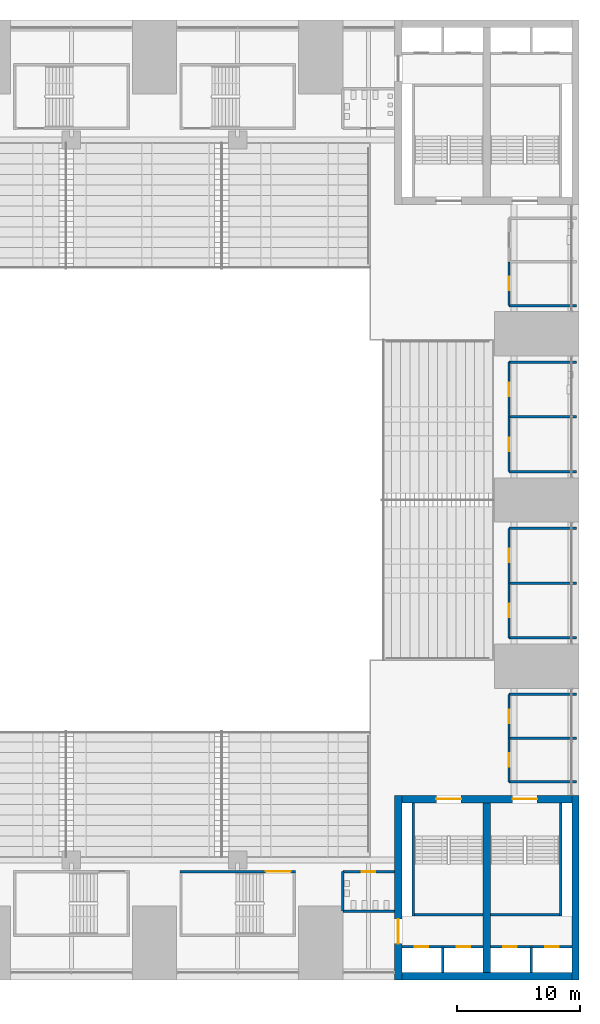
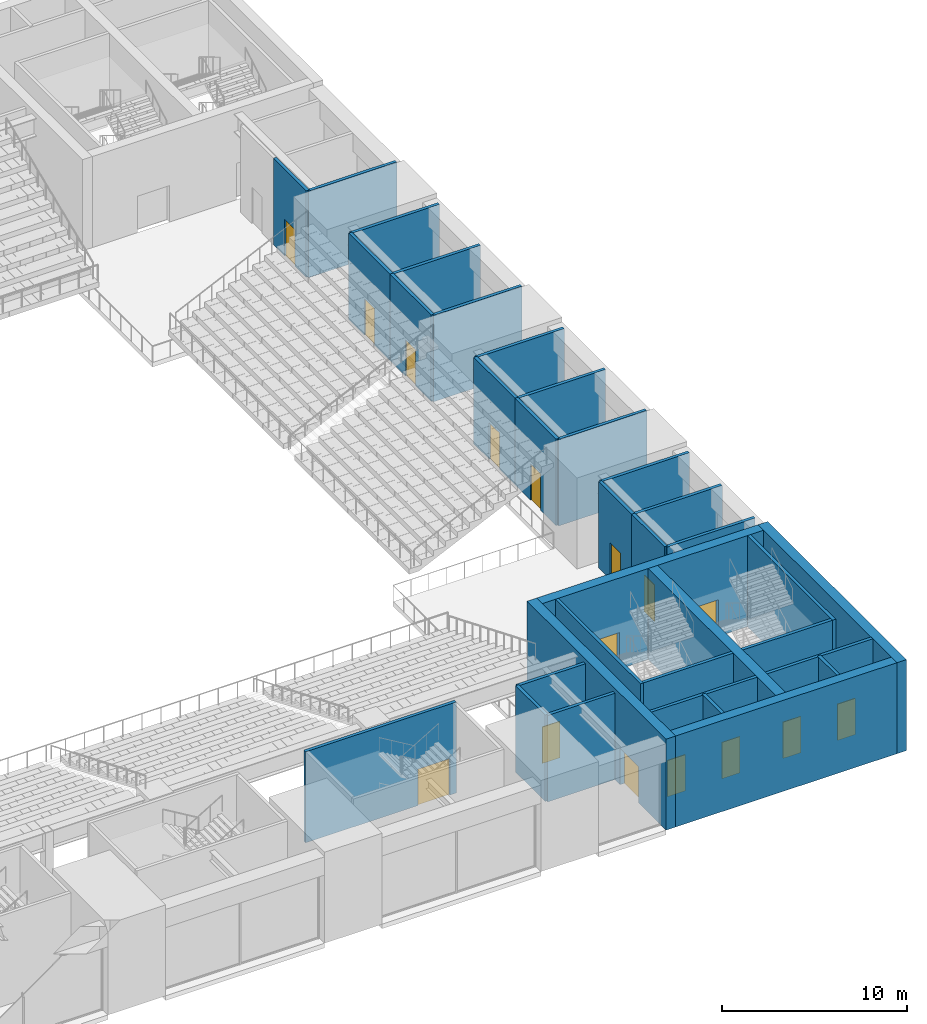
# One storey, part 31 of 61: 34 walls, 16 doors, 16 openings.
"""IFC4 building model written with IfcOpenShell, lengths in metres."""

import ifcopenshell
import ifcopenshell.guid

model = None  # the IFC model being written
_history = None  # IfcOwnerHistory: only IFC2X3 demands one
_inside = {}  # id of a spatial element -> (the spatial element, [elements in it])
_under = {}  # id of a project, library or spatial element -> (it, [spatial elements below it])
_declared = {}  # id of a project -> (the project, [libraries it declares])
_typed = {}  # id of a type object -> (the type object, [elements of that type])
_made_of = {}  # id of a material, layer set ... -> (it, [elements and type objects made of it])


def new_model(schema):
    """Start an empty IFC model of exactly this schema.

    Asked for "IFC4X3", IfcOpenShell would pick the latest addendum, in which some entities
    have other attributes; the version numbers below select the first issue.
    IFC2X3 requires an IfcOwnerHistory on every rooted entity: one is made here for all.
    """
    global model, _history
    if schema == "IFC4X3":
        model = ifcopenshell.file(schema_version=(4, 3, 0, 0))
    else:
        model = ifcopenshell.file(schema=schema)
    _inside.clear()
    _under.clear()
    _declared.clear()
    _typed.clear()
    _made_of.clear()
    _history = None
    if model.schema == "IFC2X3":
        org = make("IfcOrganization", Name="unknown")
        user = make(
            "IfcPersonAndOrganization",
            ThePerson=make("IfcPerson", FamilyName="unknown"),
            TheOrganization=org,
        )
        app = make(
            "IfcApplication",
            ApplicationDeveloper=org,
            Version="unknown",
            ApplicationFullName="unknown",
            ApplicationIdentifier="unknown",
        )
        _history = make(
            "IfcOwnerHistory",
            OwningUser=user,
            OwningApplication=app,
            ChangeAction="ADDED",
            CreationDate=0,
        )
    return model


def make(cls, **values):
    """One entity of the class cls with the attributes given. An attribute that is None is left unset."""
    return model.create_entity(
        cls, **{name: value for name, value in values.items() if value is not None}
    )


def rooted(cls, **values):
    """An entity with a GlobalId (a new one), such as an element, a storey or a relation."""
    return make(cls, GlobalId=ifcopenshell.guid.new(), OwnerHistory=_history, **values)


def si_unit(unit_type, name, prefix=None):
    """IfcSIUnit, for example si_unit("LENGTHUNIT", "METRE", prefix="MILLI")."""
    return make("IfcSIUnit", UnitType=unit_type, Prefix=prefix, Name=name)


def assignment(units):
    """IfcUnitAssignment: the units of a project."""
    return None if units is None else make("IfcUnitAssignment", Units=units)


def point(xyz):
    """IfcCartesianPoint."""
    return None if xyz is None else make("IfcCartesianPoint", Coordinates=xyz)


def direction(xyz):
    """IfcDirection."""
    return None if xyz is None else make("IfcDirection", DirectionRatios=xyz)


def frame(location, z_axis=None, x_axis=None):
    """IfcAxis2Placement3D, a coordinate frame: its origin and axes. An axis left out is left unset."""
    return make(
        "IfcAxis2Placement3D",
        Location=point(location),
        Axis=direction(z_axis),
        RefDirection=direction(x_axis),
    )


def frame_2d(location, x_axis=None):
    """IfcAxis2Placement2D, a coordinate frame in the plane: its origin and x axis."""
    return make(
        "IfcAxis2Placement2D", Location=point(location), RefDirection=direction(x_axis)
    )


def origin():
    """The frame at (0, 0, 0) with its axes left unset."""
    return frame((0.0, 0.0, 0.0))


def place(relative_to, where):
    """IfcLocalPlacement: puts the frame where relative to a parent placement (None: the world)."""
    return make(
        "IfcLocalPlacement", PlacementRelTo=relative_to, RelativePlacement=where
    )


def context(
    kind, dimensions, precision=None, world=None, true_north=None, identifier=None
):
    """IfcGeometricRepresentationContext, for example the 3D "Model" context."""
    return make(
        "IfcGeometricRepresentationContext",
        ContextIdentifier=identifier,
        ContextType=kind,
        CoordinateSpaceDimension=dimensions,
        Precision=precision,
        WorldCoordinateSystem=world,
        TrueNorth=true_north,
    )


def subcontext(parent, identifier, kind, view, scale=None):
    """IfcGeometricRepresentationSubContext, for example "Body" below "Model"."""
    return make(
        "IfcGeometricRepresentationSubContext",
        ContextIdentifier=identifier,
        ContextType=kind,
        ParentContext=parent,
        TargetScale=scale,
        TargetView=view,
    )


def project(units=None, contexts=None):
    """IfcProject with its units and contexts."""
    return rooted(
        "IfcProject",
        Name="project",
        RepresentationContexts=contexts,
        UnitsInContext=assignment(units),
    )


def spatial(cls, under=None, at=None, **own):
    """A site, building, storey or space (cls), placed at a placement, below another one or the project."""
    s = rooted(cls, ObjectPlacement=at, **own)
    if under is not None:
        _under.setdefault(under.id(), (under, []))[1].append(s)
    return s


def profile(cls, at=None, kind="AREA", **sizes):
    """A parametric profile (cls). Its sizes go by their IFC names, for example OverallWidth=200.0."""
    return make(cls, ProfileType=kind, Position=at, **sizes)


def rectangle(**sizes):
    """IfcRectangleProfileDef."""
    return profile("IfcRectangleProfileDef", **sizes)


def extrude(swept, where, along, depth):
    """IfcExtrudedAreaSolid: the profile swept, set in the frame where, extruded along a direction by depth."""
    return make(
        "IfcExtrudedAreaSolid",
        SweptArea=swept,
        Position=where,
        ExtrudedDirection=direction(along),
        Depth=depth,
    )


def shape(context_of_items, identifier, shape_type, items):
    """IfcShapeRepresentation: the items that make up one representation, for example the "Body"."""
    return make(
        "IfcShapeRepresentation",
        ContextOfItems=context_of_items,
        RepresentationIdentifier=identifier,
        RepresentationType=shape_type,
        Items=items,
    )


def material(Name=None, Category=None):
    """IfcMaterial."""
    return make("IfcMaterial", Name=Name, Category=Category)


def layer(
    of_material, thickness, ventilated=None, Name=None, Category=None, Priority=None
):
    """IfcMaterialLayer: one layer of a wall or slab, of a material (None: an air gap)."""
    return make(
        "IfcMaterialLayer",
        Material=of_material,
        LayerThickness=thickness,
        IsVentilated=ventilated,
        Name=Name,
        Category=Category,
        Priority=Priority,
    )


def layer_set(layers, Name=None):
    """IfcMaterialLayerSet."""
    return make("IfcMaterialLayerSet", MaterialLayers=layers, LayerSetName=Name)


def made_of(thing, what):
    """Note that an element or type object is made of a material, layer set ...; save() writes the relation."""
    if what is not None:
        _made_of.setdefault(what.id(), (what, []))[1].append(thing)
    return thing


def type_object(cls, material=None, **own):
    """A type object (cls), such as IfcWallType, which elements share."""
    return made_of(rooted(cls, **own), material)


def element(
    cls,
    number,
    at=None,
    inside=None,
    cuts=None,
    type_object=None,
    material=None,
    context=None,
    identifier="Body",
    shape_type=None,
    held_by="IfcProductDefinitionShape",
    body=None,
    shapes=None,
    **own,
):
    """One element of the class cls, such as IfcWall. Its Tag is "e" and its number.

    at: its placement. inside: the storey or other place that contains it. cuts: it is an
    opening in that element (IfcRelVoidsElement). A single representation is given by context,
    identifier, shape_type and body (its items); several are given by shapes. held_by: the class
    of the entity that holds the representations. save() writes the other relations.
    """
    e = rooted(cls, Tag="e%d" % number, ObjectPlacement=at, **own)
    if body is not None:
        shapes = [shape(context, identifier, shape_type, body)]
    if shapes is not None:
        e.Representation = make(held_by, Representations=shapes)
    if inside is not None:
        _inside.setdefault(inside.id(), (inside, []))[1].append(e)
    if cuts is not None:
        rooted(
            "IfcRelVoidsElement", RelatingBuildingElement=cuts, RelatedOpeningElement=e
        )
    if type_object is not None:
        _typed.setdefault(type_object.id(), (type_object, []))[1].append(e)
    return made_of(e, material)


def fill(opening, filler):
    """IfcRelFillsElement: the door or window that sits in an opening."""
    return rooted(
        "IfcRelFillsElement",
        RelatingOpeningElement=opening,
        RelatedBuildingElement=filler,
    )


def aggregate(whole, parts):
    """IfcRelAggregates: a whole, such as a stair, and the parts it consists of."""
    return rooted("IfcRelAggregates", RelatingObject=whole, RelatedObjects=parts)


def save(model, path):
    """Write the relations noted so far, then the file.

    IfcRelAggregates (storeys below a building ...), IfcRelContainedInSpatialStructure (elements
    in a storey), IfcRelDefinesByType, IfcRelAssociatesMaterial and IfcRelDeclares: one each for
    every whole, place, type object, material and project.
    """
    for whole, parts in _under.values():
        aggregate(whole, parts)
    for where, things in _inside.values():
        rooted(
            "IfcRelContainedInSpatialStructure",
            RelatedElements=things,
            RelatingStructure=where,
        )
    for kind, things in _typed.values():
        rooted("IfcRelDefinesByType", RelatedObjects=things, RelatingType=kind)
    for what, things in _made_of.values():
        rooted("IfcRelAssociatesMaterial", RelatedObjects=things, RelatingMaterial=what)
    for by, libraries in _declared.values():
        rooted("IfcRelDeclares", RelatingContext=by, RelatedDefinitions=libraries)
    model.write(path)


model = new_model("IFC4")

# Units and contexts
model_context = context("Model", 3, precision=1e-05, world=origin(), true_north=direction((0.0, 1.0)))
body_context = subcontext(model_context, "Body", "Model", "MODEL_VIEW")
ifc_project = project(units=[si_unit("LENGTHUNIT", "METRE"), si_unit("AREAUNIT", "SQUARE_METRE"), si_unit("VOLUMEUNIT", "CUBIC_METRE"), si_unit("PLANEANGLEUNIT", "RADIAN"), si_unit("MASSUNIT", "GRAM", prefix="KILO")], contexts=[model_context])

# Site, building, storey
site_placement = place(None, origin())
site = spatial("IfcSite", under=ifc_project, at=site_placement, CompositionType="ELEMENT")
building_placement = place(site_placement, origin())
building = spatial("IfcBuilding", under=site, at=building_placement, Name="Corbelhall Arena Tower", CompositionType="ELEMENT")
storey_placement = place(building_placement, frame((0.0, 0.0, 31.0)))
storey = spatial("IfcBuildingStorey", under=building, at=storey_placement, Name="L04", CompositionType="ELEMENT", Elevation=31.0)

# Wall, opening, door
ifc_material_1 = material(Name="Gypsum board on steel studs", Category="steel")
ifc_layer_1 = layer(ifc_material_1, 0.199951171875)
ifc_layer_set_1 = layer_set([ifc_layer_1], Name="AR-ROOM-WALL")
wall_type_1 = type_object("IfcWallType", Name="AR-ROOM-WALL", PredefinedType="PARTITIONING", material=ifc_layer_set_1)
wall_1_placement = place(storey_placement, frame((42.300048828125, 2.300048828125, 0.0), z_axis=(0.0, 0.0, 1.0), x_axis=(0.0, 1.0, 0.0)))
wall_1 = element("IfcWall", 1, at=wall_1_placement, inside=storey, type_object=wall_type_1, Name="Club lounge 1 wall", PredefinedType="PARTITIONING", context=body_context, shape_type="SweptSolid", body=[
    extrude(rectangle(XDim=4.449951171875, YDim=0.199951171875, at=frame_2d((2.22509765625, 0.0))), origin(), (0.0, 0.0, 1.0), 5.699951171875),
])
opening_1_placement = place(wall_1_placement, frame((1.675048828125, 0.0, 0.0)))
opening_1 = element("IfcOpeningElement", 2, at=opening_1_placement, cuts=wall_1, Name="Opening DA0419", PredefinedType="OPENING", context=body_context, shape_type="SweptSolid", body=[
    extrude(rectangle(XDim=1.10009765625, YDim=2.39990234375, at=frame_2d((0.550048828125, 1.199951171875))), frame((0.0, 0.10009765625, 0.0), z_axis=(0.0, -1.0, 0.0), x_axis=(1.0, 0.0, 0.0)), (0.0, 0.0, 1.0), 0.199951171875),
])
ifc_material_2 = material(Name="Timber", Category="wood")
door_type_1 = type_object("IfcDoorType", Name="AR-ROOM-DOOR", OperationType="DOUBLE_DOOR_SINGLE_SWING", PredefinedType="DOOR", material=ifc_material_2)
door_1_placement = place(opening_1_placement, origin())
door_1 = element("IfcDoor", 3, at=door_1_placement, inside=storey, type_object=door_type_1, Name="Club lounge 1 door", OperationType="DOUBLE_DOOR_SINGLE_SWING", OverallHeight=2.39990234375, OverallWidth=1.10009765625, PredefinedType="DOOR", context=body_context, shape_type="SweptSolid", body=[
    extrude(rectangle(XDim=1.10009765625, YDim=2.39990234375, at=frame_2d((0.550048828125, 1.199951171875))), frame((0.0, 0.02490234375, 0.0), z_axis=(0.0, -1.0, 0.0), x_axis=(1.0, 0.0, 0.0)), (0.0, 0.0, 1.0), 0.050048828125),
])
fill(opening_1, door_1)

# Walls
for number, where, z_axis, x_axis, name in (
    (4, (42.300048828125, 2.300048828125, 0.0), (0.0, 0.0, 1.0), (1.0, 0.0, 0.0), "Club lounge 1 end wall"),
    (5, (42.300048828125, 6.75, 0.0), (0.0, 0.0, 1.0), (1.0, 0.0, 0.0), "Club lounge 1 partition"),
):
    element("IfcWall", number, at=place(storey_placement, frame(where, z_axis=z_axis, x_axis=x_axis)), inside=storey, type_object=wall_type_1, Name=name, PredefinedType="PARTITIONING", context=body_context, shape_type="SweptSolid", body=[
        extrude(rectangle(XDim=5.5, YDim=0.199951171875, at=frame_2d((2.75, 0.0))), origin(), (0.0, 0.0, 1.0), 5.699951171875),
    ])

# Wall, opening, door
wall_2_placement = place(storey_placement, frame((42.300048828125, 6.75, 0.0), z_axis=(0.0, 0.0, 1.0), x_axis=(0.0, 1.0, 0.0)))
wall_2 = element("IfcWall", 6, at=wall_2_placement, inside=storey, type_object=wall_type_1, Name="Accessible WC 1 wall", PredefinedType="PARTITIONING", context=body_context, shape_type="SweptSolid", body=[
    extrude(rectangle(XDim=4.449951171875, YDim=0.199951171875, at=frame_2d((2.22509765625, 0.0))), origin(), (0.0, 0.0, 1.0), 5.699951171875),
])
opening_2_placement = place(wall_2_placement, frame((1.675048828125, 0.0, 0.0)))
opening_2 = element("IfcOpeningElement", 7, at=opening_2_placement, cuts=wall_2, Name="Opening DA0420", PredefinedType="OPENING", context=body_context, shape_type="SweptSolid", body=[
    extrude(rectangle(XDim=1.10009765625, YDim=2.39990234375, at=frame_2d((0.550048828125, 1.199951171875))), frame((0.0, 0.10009765625, 0.0), z_axis=(0.0, -1.0, 0.0), x_axis=(1.0, 0.0, 0.0)), (0.0, 0.0, 1.0), 0.199951171875),
])
door_2_placement = place(opening_2_placement, origin())
door_2 = element("IfcDoor", 8, at=door_2_placement, inside=storey, type_object=door_type_1, Name="Accessible WC 1 door", OperationType="DOUBLE_DOOR_SINGLE_SWING", OverallHeight=2.39990234375, OverallWidth=1.10009765625, PredefinedType="DOOR", context=body_context, shape_type="SweptSolid", body=[
    extrude(rectangle(XDim=1.10009765625, YDim=2.39990234375, at=frame_2d((0.550048828125, 1.199951171875))), frame((0.0, 0.02490234375, 0.0), z_axis=(0.0, -1.0, 0.0), x_axis=(1.0, 0.0, 0.0)), (0.0, 0.0, 1.0), 0.050048828125),
])
fill(opening_2, door_2)

# Wall
wall_3_placement = place(storey_placement, frame((42.300048828125, 11.199951171875, 0.0), z_axis=(0.0, 0.0, 1.0), x_axis=(1.0, 0.0, 0.0)))
element("IfcWall", 9, at=wall_3_placement, inside=storey, type_object=wall_type_1, Name="Accessible WC 1 end wall", PredefinedType="PARTITIONING", context=body_context, shape_type="SweptSolid", body=[
    extrude(rectangle(XDim=5.5, YDim=0.199951171875, at=frame_2d((2.75, 0.0))), origin(), (0.0, 0.0, 1.0), 5.699951171875),
])

# Wall, opening, door
wall_4_placement = place(storey_placement, frame((42.300048828125, -11.199951171875, 0.0), z_axis=(0.0, 0.0, 1.0), x_axis=(0.0, 1.0, 0.0)))
wall_4 = element("IfcWall", 10, at=wall_4_placement, inside=storey, type_object=wall_type_1, Name="Club lounge 2 wall", PredefinedType="PARTITIONING", context=body_context, shape_type="SweptSolid", body=[
    extrude(rectangle(XDim=4.449951171875, YDim=0.199951171875, at=frame_2d((2.22509765625, 0.0))), origin(), (0.0, 0.0, 1.0), 5.699951171875),
])
opening_3_placement = place(wall_4_placement, frame((1.675048828125, 0.0, 0.0)))
opening_3 = element("IfcOpeningElement", 11, at=opening_3_placement, cuts=wall_4, Name="Opening DA0421", PredefinedType="OPENING", context=body_context, shape_type="SweptSolid", body=[
    extrude(rectangle(XDim=1.10009765625, YDim=2.39990234375, at=frame_2d((0.550048828125, 1.199951171875))), frame((0.0, 0.10009765625, 0.0), z_axis=(0.0, -1.0, 0.0), x_axis=(1.0, 0.0, 0.0)), (0.0, 0.0, 1.0), 0.199951171875),
])
door_3_placement = place(opening_3_placement, origin())
door_3 = element("IfcDoor", 12, at=door_3_placement, inside=storey, type_object=door_type_1, Name="Club lounge 2 door", OperationType="DOUBLE_DOOR_SINGLE_SWING", OverallHeight=2.39990234375, OverallWidth=1.10009765625, PredefinedType="DOOR", context=body_context, shape_type="SweptSolid", body=[
    extrude(rectangle(XDim=1.10009765625, YDim=2.39990234375, at=frame_2d((0.550048828125, 1.199951171875))), frame((0.0, 0.02490234375, 0.0), z_axis=(0.0, -1.0, 0.0), x_axis=(1.0, 0.0, 0.0)), (0.0, 0.0, 1.0), 0.050048828125),
])
fill(opening_3, door_3)

# Walls
for number, where, z_axis, x_axis, name in (
    (13, (42.300048828125, -11.199951171875, 0.0), (0.0, 0.0, 1.0), (1.0, 0.0, 0.0), "Club lounge 2 end wall"),
    (14, (42.300048828125, -6.75, 0.0), (0.0, 0.0, 1.0), (1.0, 0.0, 0.0), "Club lounge 2 partition"),
):
    element("IfcWall", number, at=place(storey_placement, frame(where, z_axis=z_axis, x_axis=x_axis)), inside=storey, type_object=wall_type_1, Name=name, PredefinedType="PARTITIONING", context=body_context, shape_type="SweptSolid", body=[
        extrude(rectangle(XDim=5.5, YDim=0.199951171875, at=frame_2d((2.75, 0.0))), origin(), (0.0, 0.0, 1.0), 5.699951171875),
    ])

# Wall, opening, door
wall_5_placement = place(storey_placement, frame((42.300048828125, -6.75, 0.0), z_axis=(0.0, 0.0, 1.0), x_axis=(0.0, 1.0, 0.0)))
wall_5 = element("IfcWall", 15, at=wall_5_placement, inside=storey, type_object=wall_type_1, Name="Hospitality kitchen 1 wall", PredefinedType="PARTITIONING", context=body_context, shape_type="SweptSolid", body=[
    extrude(rectangle(XDim=4.449951171875, YDim=0.199951171875, at=frame_2d((2.22509765625, 0.0))), origin(), (0.0, 0.0, 1.0), 5.699951171875),
])
opening_4_placement = place(wall_5_placement, frame((1.675048828125, 0.0, 0.0)))
opening_4 = element("IfcOpeningElement", 16, at=opening_4_placement, cuts=wall_5, Name="Opening DA0422", PredefinedType="OPENING", context=body_context, shape_type="SweptSolid", body=[
    extrude(rectangle(XDim=1.10009765625, YDim=2.39990234375, at=frame_2d((0.550048828125, 1.199951171875))), frame((0.0, 0.10009765625, 0.0), z_axis=(0.0, -1.0, 0.0), x_axis=(1.0, 0.0, 0.0)), (0.0, 0.0, 1.0), 0.199951171875),
])
door_4_placement = place(opening_4_placement, origin())
door_4 = element("IfcDoor", 17, at=door_4_placement, inside=storey, type_object=door_type_1, Name="Hospitality kitchen 1 door", OperationType="DOUBLE_DOOR_SINGLE_SWING", OverallHeight=2.39990234375, OverallWidth=1.10009765625, PredefinedType="DOOR", context=body_context, shape_type="SweptSolid", body=[
    extrude(rectangle(XDim=1.10009765625, YDim=2.39990234375, at=frame_2d((0.550048828125, 1.199951171875))), frame((0.0, 0.02490234375, 0.0), z_axis=(0.0, -1.0, 0.0), x_axis=(1.0, 0.0, 0.0)), (0.0, 0.0, 1.0), 0.050048828125),
])
fill(opening_4, door_4)

# Wall
wall_6_placement = place(storey_placement, frame((42.300048828125, -2.300048828125, 0.0), z_axis=(0.0, 0.0, 1.0), x_axis=(1.0, 0.0, 0.0)))
element("IfcWall", 18, at=wall_6_placement, inside=storey, type_object=wall_type_1, Name="Hospitality kitchen 1 end wall", PredefinedType="PARTITIONING", context=body_context, shape_type="SweptSolid", body=[
    extrude(rectangle(XDim=5.5, YDim=0.199951171875, at=frame_2d((2.75, 0.0))), origin(), (0.0, 0.0, 1.0), 5.699951171875),
])

# Wall, opening, door
wall_7_placement = place(storey_placement, frame((42.300048828125, 15.800048828125, 0.0), z_axis=(0.0, 0.0, 1.0), x_axis=(0.0, 1.0, 0.0)))
wall_7 = element("IfcWall", 19, at=wall_7_placement, inside=storey, type_object=wall_type_1, Name="Club lounge 3 wall", PredefinedType="PARTITIONING", context=body_context, shape_type="SweptSolid", body=[
    extrude(rectangle(XDim=3.550048828125, YDim=0.199951171875, at=frame_2d((1.77490234375, 0.0))), origin(), (0.0, 0.0, 1.0), 5.699951171875),
])
opening_5_placement = place(wall_7_placement, frame((1.22509765625, 0.0, 0.0)))
opening_5 = element("IfcOpeningElement", 20, at=opening_5_placement, cuts=wall_7, Name="Opening DA0423", PredefinedType="OPENING", context=body_context, shape_type="SweptSolid", body=[
    extrude(rectangle(XDim=1.10009765625, YDim=2.39990234375, at=frame_2d((0.550048828125, 1.199951171875))), frame((0.0, 0.10009765625, 0.0), z_axis=(0.0, -1.0, 0.0), x_axis=(1.0, 0.0, 0.0)), (0.0, 0.0, 1.0), 0.199951171875),
])
door_5_placement = place(opening_5_placement, origin())
door_5 = element("IfcDoor", 21, at=door_5_placement, inside=storey, type_object=door_type_1, Name="Club lounge 3 door", OperationType="DOUBLE_DOOR_SINGLE_SWING", OverallHeight=2.39990234375, OverallWidth=1.10009765625, PredefinedType="DOOR", context=body_context, shape_type="SweptSolid", body=[
    extrude(rectangle(XDim=1.10009765625, YDim=2.39990234375, at=frame_2d((0.550048828125, 1.199951171875))), frame((0.0, 0.02490234375, 0.0), z_axis=(0.0, -1.0, 0.0), x_axis=(1.0, 0.0, 0.0)), (0.0, 0.0, 1.0), 0.050048828125),
])
fill(opening_5, door_5)

# Wall
wall_8_placement = place(storey_placement, frame((42.300048828125, 15.800048828125, 0.0), z_axis=(0.0, 0.0, 1.0), x_axis=(1.0, 0.0, 0.0)))
element("IfcWall", 22, at=wall_8_placement, inside=storey, type_object=wall_type_1, Name="Club lounge 3 end wall", PredefinedType="PARTITIONING", context=body_context, shape_type="SweptSolid", body=[
    extrude(rectangle(XDim=5.5, YDim=0.199951171875, at=frame_2d((2.75, 0.0))), origin(), (0.0, 0.0, 1.0), 5.699951171875),
])

# Wall, opening, door
wall_9_placement = place(storey_placement, frame((42.300048828125, -22.89990234375, 0.0), z_axis=(0.0, 0.0, 1.0), x_axis=(0.0, 1.0, 0.0)))
wall_9 = element("IfcWall", 23, at=wall_9_placement, inside=storey, type_object=wall_type_1, Name="Club lounge 4 wall", PredefinedType="PARTITIONING", context=body_context, shape_type="SweptSolid", body=[
    extrude(rectangle(XDim=3.5498046875, YDim=0.199951171875, at=frame_2d((1.77490234375, 0.0))), origin(), (0.0, 0.0, 1.0), 5.699951171875),
])
opening_6_placement = place(wall_9_placement, frame((1.22509765625, 0.0, 0.0)))
opening_6 = element("IfcOpeningElement", 24, at=opening_6_placement, cuts=wall_9, Name="Opening DA0425", PredefinedType="OPENING", context=body_context, shape_type="SweptSolid", body=[
    extrude(rectangle(XDim=1.10009765625, YDim=2.39990234375, at=frame_2d((0.550048828125, 1.199951171875))), frame((0.0, 0.10009765625, 0.0), z_axis=(0.0, -1.0, 0.0), x_axis=(1.0, 0.0, 0.0)), (0.0, 0.0, 1.0), 0.199951171875),
])
door_6_placement = place(opening_6_placement, origin())
door_6 = element("IfcDoor", 25, at=door_6_placement, inside=storey, type_object=door_type_1, Name="Club lounge 4 door", OperationType="DOUBLE_DOOR_SINGLE_SWING", OverallHeight=2.39990234375, OverallWidth=1.10009765625, PredefinedType="DOOR", context=body_context, shape_type="SweptSolid", body=[
    extrude(rectangle(XDim=1.10009765625, YDim=2.39990234375, at=frame_2d((0.550048828125, 1.199951171875))), frame((0.0, 0.02490234375, 0.0), z_axis=(0.0, -1.0, 0.0), x_axis=(1.0, 0.0, 0.0)), (0.0, 0.0, 1.0), 0.050048828125),
])
fill(opening_6, door_6)

# Walls
for number, where, z_axis, x_axis, name in (
    (26, (42.300048828125, -22.89990234375, 0.0), (0.0, 0.0, 1.0), (1.0, 0.0, 0.0), "Club lounge 4 end wall"),
    (27, (42.300048828125, -19.35009765625, 0.0), (0.0, 0.0, 1.0), (1.0, 0.0, 0.0), "Club lounge 4 partition"),
):
    element("IfcWall", number, at=place(storey_placement, frame(where, z_axis=z_axis, x_axis=x_axis)), inside=storey, type_object=wall_type_1, Name=name, PredefinedType="PARTITIONING", context=body_context, shape_type="SweptSolid", body=[
        extrude(rectangle(XDim=5.5, YDim=0.199951171875, at=frame_2d((2.75, 0.0))), origin(), (0.0, 0.0, 1.0), 5.699951171875),
    ])

# Wall, opening, door
wall_10_placement = place(storey_placement, frame((42.300048828125, -19.35009765625, 0.0), z_axis=(0.0, 0.0, 1.0), x_axis=(0.0, 1.0, 0.0)))
wall_10 = element("IfcWall", 28, at=wall_10_placement, inside=storey, type_object=wall_type_1, Name="Club bar 1 wall", PredefinedType="PARTITIONING", context=body_context, shape_type="SweptSolid", body=[
    extrude(rectangle(XDim=3.550048828125, YDim=0.199951171875, at=frame_2d((1.77490234375, 0.0))), origin(), (0.0, 0.0, 1.0), 5.699951171875),
])
opening_7_placement = place(wall_10_placement, frame((1.22509765625, 0.0, 0.0)))
opening_7 = element("IfcOpeningElement", 29, at=opening_7_placement, cuts=wall_10, Name="Opening DA0426", PredefinedType="OPENING", context=body_context, shape_type="SweptSolid", body=[
    extrude(rectangle(XDim=1.10009765625, YDim=2.39990234375, at=frame_2d((0.550048828125, 1.199951171875))), frame((0.0, 0.10009765625, 0.0), z_axis=(0.0, -1.0, 0.0), x_axis=(1.0, 0.0, 0.0)), (0.0, 0.0, 1.0), 0.199951171875),
])
door_7_placement = place(opening_7_placement, origin())
door_7 = element("IfcDoor", 30, at=door_7_placement, inside=storey, type_object=door_type_1, Name="Club bar 1 door", OperationType="DOUBLE_DOOR_SINGLE_SWING", OverallHeight=2.39990234375, OverallWidth=1.10009765625, PredefinedType="DOOR", context=body_context, shape_type="SweptSolid", body=[
    extrude(rectangle(XDim=1.10009765625, YDim=2.39990234375, at=frame_2d((0.550048828125, 1.199951171875))), frame((0.0, 0.02490234375, 0.0), z_axis=(0.0, -1.0, 0.0), x_axis=(1.0, 0.0, 0.0)), (0.0, 0.0, 1.0), 0.050048828125),
])
fill(opening_7, door_7)

# Wall
wall_11_placement = place(storey_placement, frame((42.300048828125, -15.800048828125, 0.0), z_axis=(0.0, 0.0, 1.0), x_axis=(1.0, 0.0, 0.0)))
element("IfcWall", 31, at=wall_11_placement, inside=storey, type_object=wall_type_1, Name="Club bar 1 end wall", PredefinedType="PARTITIONING", context=body_context, shape_type="SweptSolid", body=[
    extrude(rectangle(XDim=5.5, YDim=0.199951171875, at=frame_2d((2.75, 0.0))), origin(), (0.0, 0.0, 1.0), 5.699951171875),
])

# Wall, opening, door
wall_12_placement = place(storey_placement, frame((28.800048828125, -30.199951171875, 0.0), z_axis=(0.0, 0.0, 1.0), x_axis=(1.0, 0.0, 0.0)))
wall_12 = element("IfcWall", 32, at=wall_12_placement, inside=storey, type_object=wall_type_1, Name="Women's WC 3 wall", PredefinedType="PARTITIONING", context=body_context, shape_type="SweptSolid", body=[
    extrude(rectangle(XDim=4.199951171875, YDim=0.199951171875, at=frame_2d((2.10009765625, 0.0))), origin(), (0.0, 0.0, 1.0), 5.699951171875),
])
opening_8_placement = place(wall_12_placement, frame((1.550048828125, 0.0, 0.0)))
opening_8 = element("IfcOpeningElement", 33, at=opening_8_placement, cuts=wall_12, Name="Opening DA0437", PredefinedType="OPENING", context=body_context, shape_type="SweptSolid", body=[
    extrude(rectangle(XDim=1.10009765625, YDim=2.39990234375, at=frame_2d((0.550048828125, 1.199951171875))), frame((0.0, 0.10009765625, 0.0), z_axis=(0.0, -1.0, 0.0), x_axis=(1.0, 0.0, 0.0)), (0.0, 0.0, 1.0), 0.199951171875),
])
door_8_placement = place(opening_8_placement, origin())
door_8 = element("IfcDoor", 34, at=door_8_placement, inside=storey, type_object=door_type_1, Name="Women's WC 3 door", OperationType="DOUBLE_DOOR_SINGLE_SWING", OverallHeight=2.39990234375, OverallWidth=1.10009765625, PredefinedType="DOOR", context=body_context, shape_type="SweptSolid", body=[
    extrude(rectangle(XDim=1.10009765625, YDim=2.39990234375, at=frame_2d((0.550048828125, 1.199951171875))), frame((0.0, 0.02490234375, 0.0), z_axis=(0.0, -1.0, 0.0), x_axis=(1.0, 0.0, 0.0)), (0.0, 0.0, 1.0), 0.050048828125),
])
fill(opening_8, door_8)

# Walls
wall_13_placement = place(storey_placement, frame((28.800048828125, -33.39990234375, 0.0), z_axis=(0.0, 0.0, 1.0), x_axis=(0.0, 1.0, 0.0)))
element("IfcWall", 35, at=wall_13_placement, inside=storey, type_object=wall_type_1, Name="Women's WC 3 side wall", PredefinedType="PARTITIONING", context=body_context, shape_type="SweptSolid", body=[
    extrude(rectangle(XDim=3.199951171875, YDim=0.199951171875, at=frame_2d((1.60009765625, 0.0))), origin(), (0.0, 0.0, 1.0), 5.699951171875),
])
wall_14_placement = place(storey_placement, frame((28.800048828125, -33.39990234375, 0.0), z_axis=(0.0, 0.0, 1.0), x_axis=(1.0, 0.0, 0.0)))
element("IfcWall", 36, at=wall_14_placement, inside=storey, type_object=wall_type_1, Name="Women's WC 3 far wall", PredefinedType="PARTITIONING", context=body_context, shape_type="SweptSolid", body=[
    extrude(rectangle(XDim=4.199951171875, YDim=0.199951171875, at=frame_2d((2.10009765625, 0.0))), origin(), (0.0, 0.0, 1.0), 5.699951171875),
])

# Wall, openings, doors
ifc_material_3 = material(Name="Reinforced concrete C40/50", Category="concrete")
ifc_layer_2 = layer(ifc_material_3, 0.199951171875)
ifc_layer_set_2 = layer_set([ifc_layer_2], Name="AR-SHAFT-WALL")
wall_type_2 = type_object("IfcWallType", Name="AR-SHAFT-WALL", PredefinedType="SHEAR", material=ifc_layer_set_2)
wall_15_placement = place(storey_placement, frame((33.60009765625, -36.300048828125, 0.0), z_axis=(0.0, 0.0, 1.0), x_axis=(1.0, 0.0, 0.0)))
wall_15 = element("IfcWall", 37, at=wall_15_placement, inside=storey, type_object=wall_type_2, Name="Lift lobby wall SE", PredefinedType="SHEAR", context=body_context, shape_type="SweptSolid", body=[
    extrude(rectangle(XDim=6.599853515625, YDim=0.199951171875, at=frame_2d((3.2998046875, 0.0))), origin(), (0.0, 0.0, 1.0), 6.0),
])
opening_9_placement = place(wall_15_placement, frame((1.050048828125, 0.0, 0.0)))
opening_9 = element("IfcOpeningElement", 38, at=opening_9_placement, cuts=wall_15, Name="Opening LD0225", PredefinedType="OPENING", context=body_context, shape_type="SweptSolid", body=[
    extrude(rectangle(XDim=1.10009765625, YDim=2.39990234375, at=frame_2d((0.550048828125, 1.199951171875))), frame((0.0, 0.10009765625, 0.0), z_axis=(0.0, -1.0, 0.0), x_axis=(1.0, 0.0, 0.0)), (0.0, 0.0, 1.0), 0.199951171875),
])
opening_10_placement = place(wall_15_placement, frame((4.449951171875, 0.0, 0.0)))
opening_10 = element("IfcOpeningElement", 39, at=opening_10_placement, cuts=wall_15, Name="Opening LD0226", PredefinedType="OPENING", context=body_context, shape_type="SweptSolid", body=[
    extrude(rectangle(XDim=1.10009765625, YDim=2.39990234375, at=frame_2d((0.550048828125, 1.199951171875))), frame((0.0, 0.10009765625, 0.0), z_axis=(0.0, -1.0, 0.0), x_axis=(1.0, 0.0, 0.0)), (0.0, 0.0, 1.0), 0.199951171875),
])
ifc_material_4 = material(Name="Stainless steel A4", Category="steel")
door_type_2 = type_object("IfcDoorType", Name="AR-LANDING-DOOR", OperationType="DOUBLE_DOOR_SLIDING", PredefinedType="DOOR", material=ifc_material_4)
door_9_placement = place(opening_9_placement, frame((1.10009765625, 0.0, 0.0), z_axis=(0.0, 0.0, 1.0), x_axis=(-1.0, 0.0, 0.0)))
door_9 = element("IfcDoor", 40, at=door_9_placement, inside=storey, type_object=door_type_2, Name="Landing door SE LF1 L04", OperationType="DOUBLE_DOOR_SLIDING", OverallHeight=2.39990234375, OverallWidth=1.10009765625, PredefinedType="DOOR", context=body_context, shape_type="SweptSolid", body=[
    extrude(rectangle(XDim=1.10009765625, YDim=2.39990234375, at=frame_2d((0.550048828125, 1.199951171875))), frame((0.0, 0.02490234375, 0.0), z_axis=(0.0, -1.0, 0.0), x_axis=(1.0, 0.0, 0.0)), (0.0, 0.0, 1.0), 0.050048828125),
])
fill(opening_9, door_9)
door_10_placement = place(opening_10_placement, frame((1.10009765625, 0.0, 0.0), z_axis=(0.0, 0.0, 1.0), x_axis=(-1.0, 0.0, 0.0)))
door_10 = element("IfcDoor", 41, at=door_10_placement, inside=storey, type_object=door_type_2, Name="Landing door SE LF2 L04", OperationType="DOUBLE_DOOR_SLIDING", OverallHeight=2.39990234375, OverallWidth=1.10009765625, PredefinedType="DOOR", context=body_context, shape_type="SweptSolid", body=[
    extrude(rectangle(XDim=1.10009765625, YDim=2.39990234375, at=frame_2d((0.550048828125, 1.199951171875))), frame((0.0, 0.02490234375, 0.0), z_axis=(0.0, -1.0, 0.0), x_axis=(1.0, 0.0, 0.0)), (0.0, 0.0, 1.0), 0.050048828125),
])
fill(opening_10, door_10)

wall_16_placement = place(storey_placement, frame((40.800048828125, -36.300048828125, 0.0), z_axis=(0.0, 0.0, 1.0), x_axis=(1.0, 0.0, 0.0)))
wall_16 = element("IfcWall", 42, at=wall_16_placement, inside=storey, type_object=wall_type_2, Name="Lift lobby wall SE", PredefinedType="SHEAR", context=body_context, shape_type="SweptSolid", body=[
    extrude(rectangle(XDim=6.599853515625, YDim=0.199951171875, at=frame_2d((3.2998046875, 0.0))), origin(), (0.0, 0.0, 1.0), 6.0),
])
opening_11_placement = place(wall_16_placement, frame((1.050048828125, 0.0, 0.0)))
opening_11 = element("IfcOpeningElement", 43, at=opening_11_placement, cuts=wall_16, Name="Opening LD0227", PredefinedType="OPENING", context=body_context, shape_type="SweptSolid", body=[
    extrude(rectangle(XDim=1.10009765625, YDim=2.39990234375, at=frame_2d((0.550048828125, 1.199951171875))), frame((0.0, 0.10009765625, 0.0), z_axis=(0.0, -1.0, 0.0), x_axis=(1.0, 0.0, 0.0)), (0.0, 0.0, 1.0), 0.199951171875),
])
opening_12_placement = place(wall_16_placement, frame((4.449951171875, 0.0, 0.0)))
opening_12 = element("IfcOpeningElement", 44, at=opening_12_placement, cuts=wall_16, Name="Opening LD0228", PredefinedType="OPENING", context=body_context, shape_type="SweptSolid", body=[
    extrude(rectangle(XDim=1.10009765625, YDim=2.39990234375, at=frame_2d((0.550048828125, 1.199951171875))), frame((0.0, 0.10009765625, 0.0), z_axis=(0.0, -1.0, 0.0), x_axis=(1.0, 0.0, 0.0)), (0.0, 0.0, 1.0), 0.199951171875),
])
door_11_placement = place(opening_11_placement, frame((1.10009765625, 0.0, 0.0), z_axis=(0.0, 0.0, 1.0), x_axis=(-1.0, 0.0, 0.0)))
door_11 = element("IfcDoor", 45, at=door_11_placement, inside=storey, type_object=door_type_2, Name="Landing door SE LF3 L04", OperationType="DOUBLE_DOOR_SLIDING", OverallHeight=2.39990234375, OverallWidth=1.10009765625, PredefinedType="DOOR", context=body_context, shape_type="SweptSolid", body=[
    extrude(rectangle(XDim=1.10009765625, YDim=2.39990234375, at=frame_2d((0.550048828125, 1.199951171875))), frame((0.0, 0.02490234375, 0.0), z_axis=(0.0, -1.0, 0.0), x_axis=(1.0, 0.0, 0.0)), (0.0, 0.0, 1.0), 0.050048828125),
])
fill(opening_11, door_11)
door_12_placement = place(opening_12_placement, frame((1.10009765625, 0.0, 0.0), z_axis=(0.0, 0.0, 1.0), x_axis=(-1.0, 0.0, 0.0)))
door_12 = element("IfcDoor", 46, at=door_12_placement, inside=storey, type_object=door_type_2, Name="Landing door SE LF4 L04", OperationType="DOUBLE_DOOR_SLIDING", OverallHeight=2.39990234375, OverallWidth=1.10009765625, PredefinedType="DOOR", context=body_context, shape_type="SweptSolid", body=[
    extrude(rectangle(XDim=1.10009765625, YDim=2.39990234375, at=frame_2d((0.550048828125, 1.199951171875))), frame((0.0, 0.02490234375, 0.0), z_axis=(0.0, -1.0, 0.0), x_axis=(1.0, 0.0, 0.0)), (0.0, 0.0, 1.0), 0.050048828125),
])
fill(opening_12, door_12)

# Walls
for number, where, z_axis, x_axis, name in (
    (47, (36.89990234375, -38.39990234375, 0.0), (0.0, 0.0, 1.0), (0.0, 1.0, 0.0), "Shaft wall SE"),
    (48, (44.10009765625, -38.39990234375, 0.0), (0.0, 0.0, 1.0), (0.0, 1.0, 0.0), "Shaft wall SE"),
):
    element("IfcWall", number, at=place(storey_placement, frame(where, z_axis=z_axis, x_axis=x_axis)), inside=storey, type_object=wall_type_2, Name=name, PredefinedType="SHEAR", context=body_context, shape_type="SweptSolid", body=[
        extrude(rectangle(XDim=2.099853515625, YDim=0.199951171875, at=frame_2d((1.0498046875, 0.0))), origin(), (0.0, 0.0, 1.0), 6.0),
    ])

# Wall, opening, door
ifc_layer_3 = layer(ifc_material_3, 0.199951171875)
ifc_layer_set_3 = layer_set([ifc_layer_3], Name="AR-STAIR-WALL")
wall_type_3 = type_object("IfcWallType", Name="AR-STAIR-WALL", PredefinedType="SOLIDWALL", material=ifc_layer_set_3)
wall_17_placement = place(storey_placement, frame((24.949951171875, -30.199951171875, 0.0), z_axis=(0.0, 0.0, 1.0), x_axis=(-1.0, 0.0, 0.0)))
wall_17 = element("IfcWall", 49, at=wall_17_placement, inside=storey, type_object=wall_type_3, Name="Stair AS16 wall", PredefinedType="SOLIDWALL", context=body_context, shape_type="SweptSolid", body=[
    extrude(rectangle(XDim=9.39990234375, YDim=0.199951171875, at=frame_2d((4.699951171875, 0.0))), origin(), (0.0, 0.0, 1.0), 6.0),
])
opening_13_placement = place(wall_17_placement, frame((0.39990234375, 0.0, 0.0)))
opening_13 = element("IfcOpeningElement", 50, at=opening_13_placement, cuts=wall_17, Name="Opening DA0047", PredefinedType="OPENING", context=body_context, shape_type="SweptSolid", body=[
    extrude(rectangle(XDim=2.0, YDim=2.39990234375, at=frame_2d((1.0, 1.199951171875))), frame((0.0, 0.10009765625, 0.0), z_axis=(0.0, -1.0, 0.0), x_axis=(1.0, 0.0, 0.0)), (0.0, 0.0, 1.0), 0.199951171875),
])
ifc_material_5 = material(Name="Steel and glass", Category="steel")
door_type_3 = type_object("IfcDoorType", Name="AR-STAIR-DOOR", OperationType="DOUBLE_DOOR_SINGLE_SWING", PredefinedType="DOOR", material=ifc_material_5)
door_13_placement = place(opening_13_placement, origin())
door_13 = element("IfcDoor", 51, at=door_13_placement, inside=storey, type_object=door_type_3, Name="Stair AS16 door", OperationType="DOUBLE_DOOR_SINGLE_SWING", OverallHeight=2.39990234375, OverallWidth=2.0, PredefinedType="DOOR", context=body_context, shape_type="SweptSolid", body=[
    extrude(rectangle(XDim=2.0, YDim=2.39990234375, at=frame_2d((1.0, 1.199951171875))), frame((0.0, 0.02490234375, 0.0), z_axis=(0.0, -1.0, 0.0), x_axis=(1.0, 0.0, 0.0)), (0.0, 0.0, 1.0), 0.050048828125),
])
fill(opening_13, door_13)

# Walls
wall_18_placement = place(storey_placement, frame((34.510009765625, -33.800048828125, 0.0), z_axis=(0.0, 0.0, 1.0), x_axis=(0.0, 1.0, 0.0)))
element("IfcWall", 52, at=wall_18_placement, inside=storey, type_object=wall_type_3, Name="Stair AS5 wall", PredefinedType="SOLIDWALL", context=body_context, shape_type="SweptSolid", body=[
    extrude(rectangle(XDim=9.199951171875, YDim=0.199951171875, at=frame_2d((4.60009765625, 0.0))), origin(), (0.0, 0.0, 1.0), 6.0),
])
wall_19_placement = place(storey_placement, frame((34.610107421875, -33.699951171875, 0.0), z_axis=(0.0, 0.0, 1.0), x_axis=(1.0, 0.0, 0.0)))
element("IfcWall", 53, at=wall_19_placement, inside=storey, type_object=wall_type_3, Name="Stair AS5 wall", PredefinedType="SOLIDWALL", context=body_context, shape_type="SweptSolid", body=[
    extrude(rectangle(XDim=5.58984375, YDim=0.199951171875, at=frame_2d((2.794921875, 0.0))), origin(), (0.0, 0.0, 1.0), 6.0),
])
wall_20_placement = place(storey_placement, frame((46.489990234375, -33.800048828125, 0.0), z_axis=(0.0, 0.0, 1.0), x_axis=(0.0, 1.0, 0.0)))
element("IfcWall", 54, at=wall_20_placement, inside=storey, type_object=wall_type_3, Name="Stair AS6 wall", PredefinedType="SOLIDWALL", context=body_context, shape_type="SweptSolid", body=[
    extrude(rectangle(XDim=9.199951171875, YDim=0.199951171875, at=frame_2d((4.60009765625, 0.0))), origin(), (0.0, 0.0, 1.0), 6.0),
])
wall_21_placement = place(storey_placement, frame((40.800048828125, -33.699951171875, 0.0), z_axis=(0.0, 0.0, 1.0), x_axis=(1.0, 0.0, 0.0)))
element("IfcWall", 55, at=wall_21_placement, inside=storey, type_object=wall_type_3, Name="Stair AS6 wall", PredefinedType="SOLIDWALL", context=body_context, shape_type="SweptSolid", body=[
    extrude(rectangle(XDim=5.58984375, YDim=0.199951171875, at=frame_2d((2.794921875, 0.0))), origin(), (0.0, 0.0, 1.0), 6.0),
])

# Wall, openings, doors
ifc_material_6 = material(Name="Concrete C80/95", Category="concrete")
ifc_layer_4 = layer(ifc_material_6, 0.60009765625)
ifc_layer_set_4 = layer_set([ifc_layer_4], Name="PO-CORE-WALL")
wall_type_4 = type_object("IfcWallType", Name="PO-CORE-WALL", PredefinedType="SHEAR", material=ifc_layer_set_4)
wall_22_placement = place(storey_placement, frame((33.60009765625, -24.300048828125, 0.0), z_axis=(0.0, 0.0, 1.0), x_axis=(1.0, 0.0, 0.0)))
wall_22 = element("IfcWall", 56, at=wall_22_placement, inside=storey, type_object=wall_type_4, Name="CORE SE WALL N L04", PredefinedType="SHEAR", context=body_context, shape_type="SweptSolid", body=[
    extrude(rectangle(XDim=13.7998046875, YDim=0.60009765625, at=frame_2d((6.89990234375, 0.0))), origin(), (0.0, 0.0, 1.0), 6.0),
])
opening_14_placement = place(wall_22_placement, frame((2.804931640625, 0.0, 0.0)))
opening_14 = element("IfcOpeningElement", 57, at=opening_14_placement, cuts=wall_22, Name="Opening DA0089", PredefinedType="OPENING", context=body_context, shape_type="SweptSolid", body=[
    extrude(rectangle(XDim=2.0, YDim=2.39990234375, at=frame_2d((1.0, 1.199951171875))), frame((0.0, 0.300048828125, 0.0), z_axis=(0.0, -1.0, 0.0), x_axis=(1.0, 0.0, 0.0)), (0.0, 0.0, 1.0), 0.60009765625),
])
opening_15_placement = place(wall_22_placement, frame((8.9951171875, 0.0, 0.0)))
opening_15 = element("IfcOpeningElement", 58, at=opening_15_placement, cuts=wall_22, Name="Opening DA0097", PredefinedType="OPENING", context=body_context, shape_type="SweptSolid", body=[
    extrude(rectangle(XDim=2.0, YDim=2.39990234375, at=frame_2d((1.0, 1.199951171875))), frame((0.0, 0.300048828125, 0.0), z_axis=(0.0, -1.0, 0.0), x_axis=(1.0, 0.0, 0.0)), (0.0, 0.0, 1.0), 0.60009765625),
])
door_14_placement = place(opening_14_placement, frame((2.0, 0.0, 0.0), z_axis=(0.0, 0.0, 1.0), x_axis=(-1.0, 0.0, 0.0)))
door_14 = element("IfcDoor", 59, at=door_14_placement, inside=storey, type_object=door_type_3, Name="Stair AS5 door", OperationType="DOUBLE_DOOR_SINGLE_SWING", OverallHeight=2.39990234375, OverallWidth=2.0, PredefinedType="DOOR", context=body_context, shape_type="SweptSolid", body=[
    extrude(rectangle(XDim=2.0, YDim=2.39990234375, at=frame_2d((1.0, 1.199951171875))), frame((0.0, 0.02490234375, 0.0), z_axis=(0.0, -1.0, 0.0), x_axis=(1.0, 0.0, 0.0)), (0.0, 0.0, 1.0), 0.050048828125),
])
fill(opening_14, door_14)
door_15_placement = place(opening_15_placement, frame((2.0, 0.0, 0.0), z_axis=(0.0, 0.0, 1.0), x_axis=(-1.0, 0.0, 0.0)))
door_15 = element("IfcDoor", 60, at=door_15_placement, inside=storey, type_object=door_type_3, Name="Stair AS6 door", OperationType="DOUBLE_DOOR_SINGLE_SWING", OverallHeight=2.39990234375, OverallWidth=2.0, PredefinedType="DOOR", context=body_context, shape_type="SweptSolid", body=[
    extrude(rectangle(XDim=2.0, YDim=2.39990234375, at=frame_2d((1.0, 1.199951171875))), frame((0.0, 0.02490234375, 0.0), z_axis=(0.0, -1.0, 0.0), x_axis=(1.0, 0.0, 0.0)), (0.0, 0.0, 1.0), 0.050048828125),
])
fill(opening_15, door_15)

# Wall
wall_23_placement = place(storey_placement, frame((33.60009765625, -38.699951171875, 0.0), z_axis=(0.0, 0.0, 1.0), x_axis=(1.0, 0.0, 0.0)))
element("IfcWall", 61, at=wall_23_placement, inside=storey, type_object=wall_type_4, Name="CORE SE WALL S L04", PredefinedType="SHEAR", context=body_context, shape_type="SweptSolid", body=[
    extrude(rectangle(XDim=13.7998046875, YDim=0.60009765625, at=frame_2d((6.89990234375, 0.0))), origin(), (0.0, 0.0, 1.0), 6.0),
])

# Wall, opening, door
wall_24_placement = place(storey_placement, frame((33.300048828125, -39.0, 0.0), z_axis=(0.0, 0.0, 1.0), x_axis=(0.0, 1.0, 0.0)))
wall_24 = element("IfcWall", 62, at=wall_24_placement, inside=storey, type_object=wall_type_4, Name="CORE SE WALL W L04", PredefinedType="SHEAR", context=body_context, shape_type="SweptSolid", body=[
    extrude(rectangle(XDim=15.0, YDim=0.60009765625, at=frame_2d((7.5, 0.0))), origin(), (0.0, 0.0, 1.0), 6.0),
])
opening_16_placement = place(wall_24_placement, frame((2.949951171875, 0.0, 0.0)))
opening_16 = element("IfcOpeningElement", 63, at=opening_16_placement, cuts=wall_24, Name="Opening DA0229", PredefinedType="OPENING", context=body_context, shape_type="SweptSolid", body=[
    extrude(rectangle(XDim=2.0, YDim=2.39990234375, at=frame_2d((1.0, 1.199951171875))), frame((0.0, 0.300048828125, 0.0), z_axis=(0.0, -1.0, 0.0), x_axis=(1.0, 0.0, 0.0)), (0.0, 0.0, 1.0), 0.60009765625),
])
door_type_4 = type_object("IfcDoorType", Name="AR-CORE-DOOR", OperationType="DOUBLE_DOOR_SINGLE_SWING", PredefinedType="DOOR", material=ifc_material_5)
door_16_placement = place(opening_16_placement, origin())
door_16 = element("IfcDoor", 64, at=door_16_placement, inside=storey, type_object=door_type_4, Name="Core lobby door SE L04", OperationType="DOUBLE_DOOR_SINGLE_SWING", OverallHeight=2.39990234375, OverallWidth=2.0, PredefinedType="DOOR", context=body_context, shape_type="SweptSolid", body=[
    extrude(rectangle(XDim=2.0, YDim=2.39990234375, at=frame_2d((1.0, 1.199951171875))), frame((0.0, 0.02490234375, 0.0), z_axis=(0.0, -1.0, 0.0), x_axis=(1.0, 0.0, 0.0)), (0.0, 0.0, 1.0), 0.050048828125),
])
fill(opening_16, door_16)

# Walls
wall_25_placement = place(storey_placement, frame((47.699951171875, -39.0, 0.0), z_axis=(0.0, 0.0, 1.0), x_axis=(0.0, 1.0, 0.0)))
element("IfcWall", 65, at=wall_25_placement, inside=storey, type_object=wall_type_4, Name="CORE SE WALL E L04", PredefinedType="SHEAR", context=body_context, shape_type="SweptSolid", body=[
    extrude(rectangle(XDim=15.0, YDim=0.60009765625, at=frame_2d((7.5, 0.0))), origin(), (0.0, 0.0, 1.0), 6.0),
])
wall_26_placement = place(storey_placement, frame((40.5, -38.39990234375, 0.0), z_axis=(0.0, 0.0, 1.0), x_axis=(0.0, 1.0, 0.0)))
element("IfcWall", 66, at=wall_26_placement, inside=storey, type_object=wall_type_4, Name="CORE SE WALL D L04", PredefinedType="SHEAR", context=body_context, shape_type="SweptSolid", body=[
    extrude(rectangle(XDim=13.7998046875, YDim=0.60009765625, at=frame_2d((6.89990234375, 0.0))), origin(), (0.0, 0.0, 1.0), 6.0),
])

save(model, "model.ifc")
